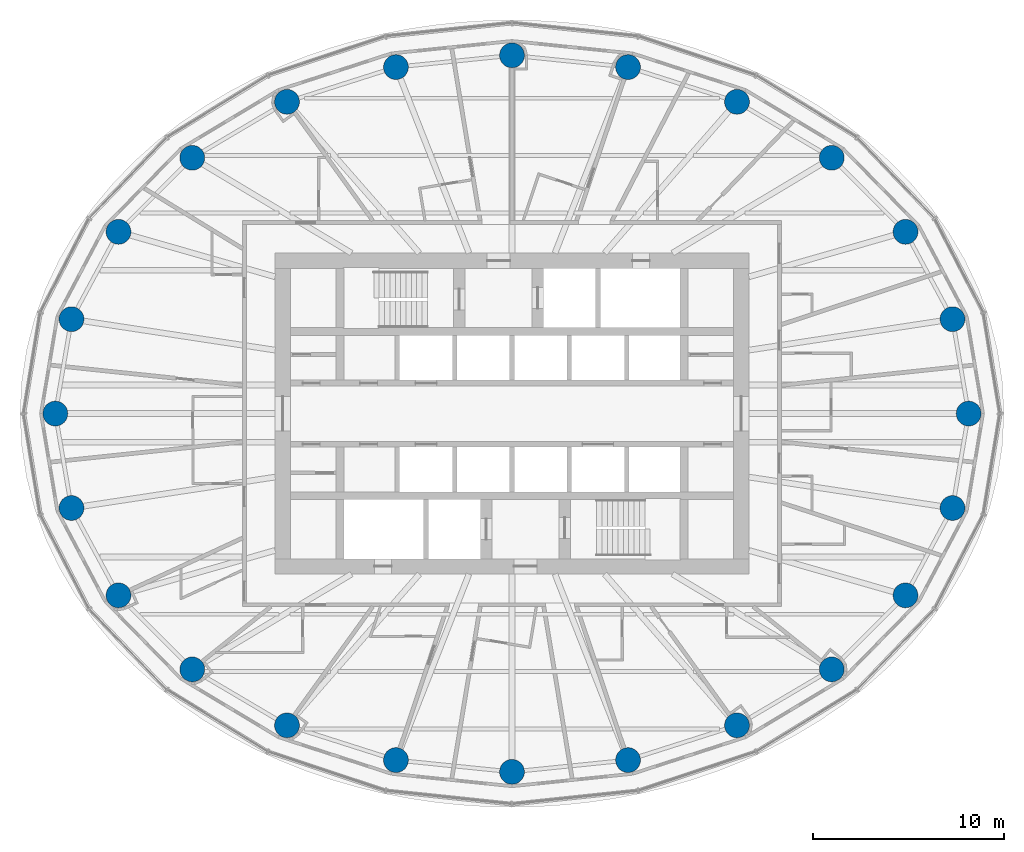
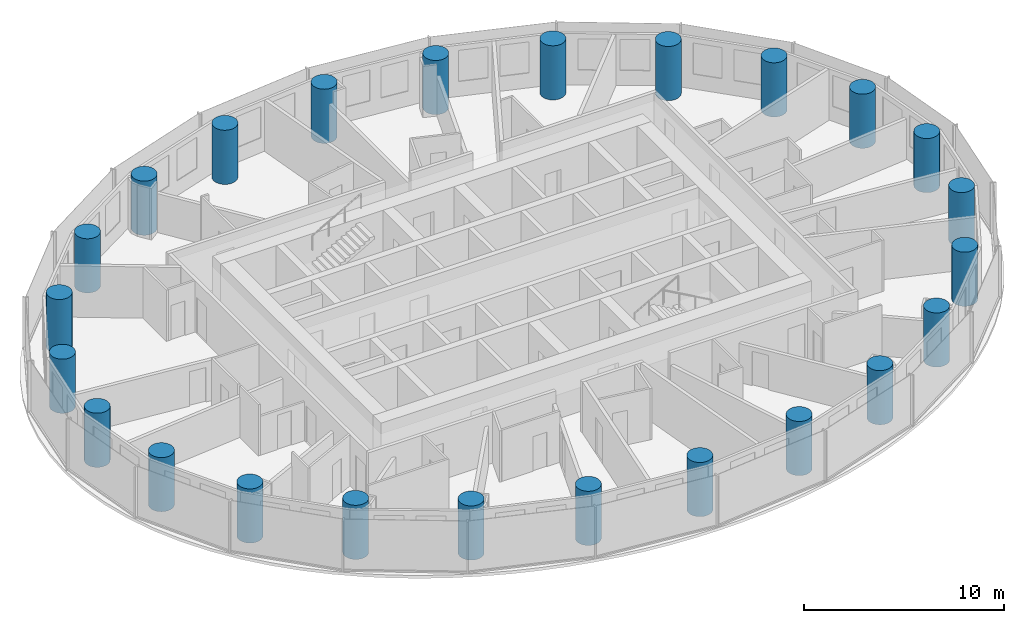
# One storey, part 1 of 13: 24 columns.
"""IFC4 building model written with IfcOpenShell, lengths in metres."""

from ifc_helpers import new_model, si_unit, direction, frame, origin, origin_2d, place, context, subcontext, project, spatial, circle, extrude, material, material_profile, profile_set, type_object, element, save


model = new_model("IFC4")

# Units and contexts
model_context = context("Model", 3, precision=1e-05, world=origin(), true_north=direction((0.0, 1.0)))
body_context = subcontext(model_context, "Body", "Model", "MODEL_VIEW")
ifc_project = project(units=[si_unit("LENGTHUNIT", "METRE"), si_unit("AREAUNIT", "SQUARE_METRE"), si_unit("VOLUMEUNIT", "CUBIC_METRE"), si_unit("PLANEANGLEUNIT", "RADIAN"), si_unit("MASSUNIT", "GRAM", prefix="KILO")], contexts=[model_context])

# Site, building, storey
site_placement = place(None, origin())
site = spatial("IfcSite", under=ifc_project, at=site_placement, CompositionType="ELEMENT")
building_placement = place(site_placement, origin())
building = spatial("IfcBuilding", under=site, at=building_placement, Name="Hankou Lantern Tower", CompositionType="ELEMENT")
storey_placement = place(building_placement, frame((0.0, 0.0, 128.699951171875)))
storey = spatial("IfcBuildingStorey", under=building, at=storey_placement, Name="L33", CompositionType="ELEMENT", Elevation=128.699951171875)

# Columns
ifc_material = material(Name="Concrete C60", Category="concrete")
ifc_material_profile = material_profile(ifc_material, circle(Radius=0.64990234375, at=origin_2d()), Name="RC D1300")
ifc_profile_set = profile_set([ifc_material_profile], Name="Concrete C60")
column_type = type_object("IfcColumnType", Name="TC3 PERIMETER COLUMN RC D1300", PredefinedType="COLUMN", material=ifc_profile_set)
for number, where, z_axis, x_axis, name in (
    (1, (23.89990234375, 0.0, 0.0), (0.0, 0.0, 1.0), (1.0, 0.0, 0.0), "Column R01 L33"),
    (2, (23.054931640625, 4.942138671875, 0.0), (0.0, 0.0, 1.0), (1.0, 0.0, 0.0), "Column R02 L33"),
    (3, (20.595703125, 9.5126953125, 0.0), (0.0, 0.0, 1.0), (1.0, 0.0, 0.0), "Column R03 L33"),
    (4, (16.73388671875, 13.38720703125, 0.0), (0.0, 0.0, 1.0), (1.0, 0.0, 0.0), "Column R04 L33"),
    (5, (11.775390625, 16.31640625, 0.0), (0.0, 0.0, 1.0), (1.0, 0.0, 0.0), "Column R05 L33"),
    (6, (6.073974609375, 18.134521484375, 0.0), (0.0, 0.0, 1.0), (1.0, 0.0, 0.0), "Column R06 L33"),
    (7, (0.0, 18.75, 0.0), (0.0, 0.0, 1.0), (1.0, 0.0, 0.0), "Column R07 L33"),
    (8, (-6.073974609375, 18.134521484375, 0.0), (0.0, 0.0, 1.0), (1.0, 0.0, 0.0), "Column R08 L33"),
    (9, (-11.775390625, 16.31640625, 0.0), (0.0, 0.0, 1.0), (1.0, 0.0, 0.0), "Column R09 L33"),
    (10, (-16.73388671875, 13.38720703125, 0.0), (0.0, 0.0, 1.0), (1.0, 0.0, 0.0), "Column R10 L33"),
    (11, (-20.595703125, 9.5126953125, 0.0), (0.0, 0.0, 1.0), (1.0, 0.0, 0.0), "Column R11 L33"),
    (12, (-23.054931640625, 4.942138671875, 0.0), (0.0, 0.0, 1.0), (1.0, 0.0, 0.0), "Column R12 L33"),
    (13, (-23.89990234375, 0.0, 0.0), (0.0, 0.0, 1.0), (1.0, 0.0, 0.0), "Column R13 L33"),
    (14, (-23.054931640625, -4.942138671875, 0.0), (0.0, 0.0, 1.0), (1.0, 0.0, 0.0), "Column R14 L33"),
    (15, (-20.595703125, -9.5126953125, 0.0), (0.0, 0.0, 1.0), (1.0, 0.0, 0.0), "Column R15 L33"),
    (16, (-16.73388671875, -13.38720703125, 0.0), (0.0, 0.0, 1.0), (1.0, 0.0, 0.0), "Column R16 L33"),
    (17, (-11.775390625, -16.31640625, 0.0), (0.0, 0.0, 1.0), (1.0, 0.0, 0.0), "Column R17 L33"),
    (18, (-6.073974609375, -18.134521484375, 0.0), (0.0, 0.0, 1.0), (1.0, 0.0, 0.0), "Column R18 L33"),
    (19, (0.0, -18.75, 0.0), (0.0, 0.0, 1.0), (1.0, 0.0, 0.0), "Column R19 L33"),
    (20, (6.073974609375, -18.134521484375, 0.0), (0.0, 0.0, 1.0), (1.0, 0.0, 0.0), "Column R20 L33"),
    (21, (11.775390625, -16.31640625, 0.0), (0.0, 0.0, 1.0), (1.0, 0.0, 0.0), "Column R21 L33"),
    (22, (16.73388671875, -13.38720703125, 0.0), (0.0, 0.0, 1.0), (1.0, 0.0, 0.0), "Column R22 L33"),
    (23, (20.595703125, -9.5126953125, 0.0), (0.0, 0.0, 1.0), (1.0, 0.0, 0.0), "Column R23 L33"),
    (24, (23.054931640625, -4.942138671875, 0.0), (0.0, 0.0, 1.0), (1.0, 0.0, 0.0), "Column R24 L33"),
):
    element("IfcColumn", number, at=place(storey_placement, frame(where, z_axis=z_axis, x_axis=x_axis)), inside=storey, type_object=column_type, Name=name, PredefinedType="COLUMN", context=body_context, shape_type="SweptSolid", body=[
        extrude(circle(Radius=0.64990234375, at=origin_2d()), origin(), (0.0, 0.0, 1.0), 3.300048828125),
    ])

save(model, "model.ifc")
